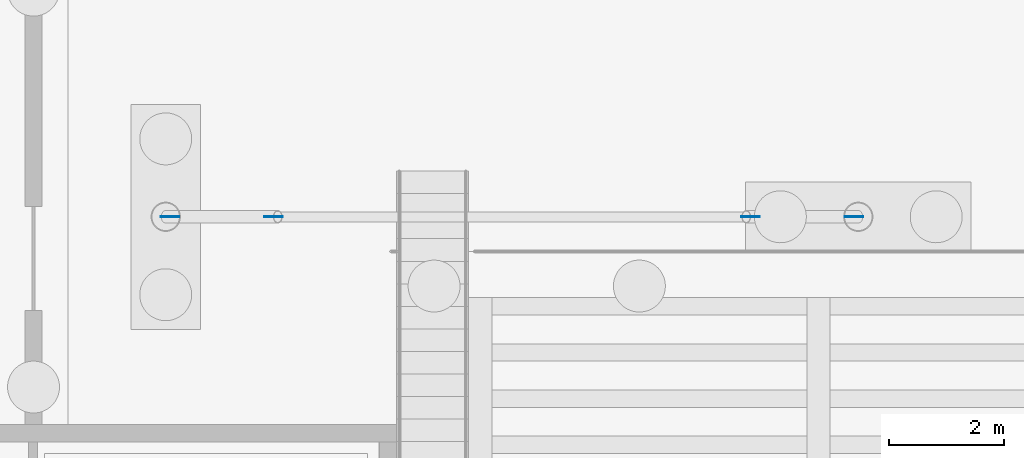
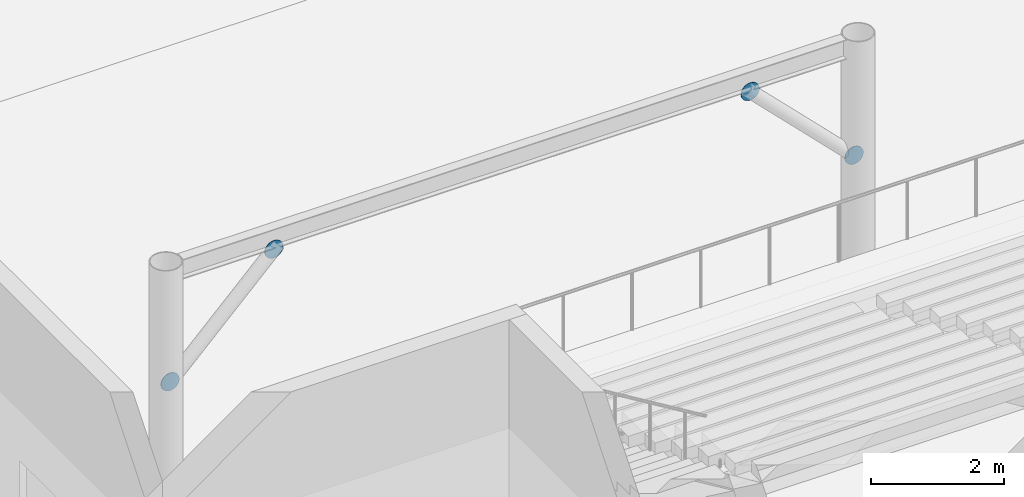
# One storey, part 115 of 157: 4 discrete accessories.
"""IFC4 building model written with IfcOpenShell, lengths in metres."""

from ifc_helpers import new_model, si_unit, direction, frame, origin, origin_2d, place, context, subcontext, project, spatial, circle, extrude, material, layer, layer_set, type_object, element, save


model = new_model("IFC4")

# Units and contexts
model_context = context("Model", 3, precision=1e-05, world=origin(), true_north=direction((0.0, 1.0)))
body_context = subcontext(model_context, "Body", "Model", "MODEL_VIEW")
ifc_project = project(units=[si_unit("LENGTHUNIT", "METRE"), si_unit("AREAUNIT", "SQUARE_METRE"), si_unit("VOLUMEUNIT", "CUBIC_METRE"), si_unit("PLANEANGLEUNIT", "RADIAN"), si_unit("MASSUNIT", "GRAM", prefix="KILO")], contexts=[model_context])

# Site, building, storey
site_placement = place(None, origin())
site = spatial("IfcSite", under=ifc_project, at=site_placement, CompositionType="ELEMENT")
building_placement = place(site_placement, origin())
building = spatial("IfcBuilding", under=site, at=building_placement, Name="Windward Yard Aquatics Centre", CompositionType="ELEMENT")
storey_placement = place(building_placement, origin())
storey = spatial("IfcBuildingStorey", under=building, at=storey_placement, Name="L00", CompositionType="ELEMENT", Elevation=0.0)

# Discrete accessories
ifc_material = material(Name="Steel S355", Category="steel")
ifc_layer = layer(ifc_material, 0.011962890625)
ifc_layer_set = layer_set([ifc_layer], Name="Gusset plate 320 mm disc 12 mm")
discrete_accessory_type = type_object("IfcDiscreteAccessoryType", Name="Gusset plate 320 mm disc 12 mm", PredefinedType="USERDEFINED", material=ifc_layer_set)
for number, where, z_axis, x_axis, name in (
    (1, (60.07080078125, 41.593994140625, 2.770751953125), (0.0, 1.0, 0.0), (-1.0, 0.0, 0.0), "Gusset plate"),
    (2, (61.871337890625, 41.593994140625, 4.5712890625), (0.0, 1.0, 0.0), (-1.0, 0.0, 0.0), "Gusset plate"),
    (3, (71.92919921875, 41.593994140625, 2.770751953125), (0.0, 1.0, 0.0), (-1.0, 0.0, 0.0), "Gusset plate"),
    (4, (70.128662109375, 41.593994140625, 4.5712890625), (0.0, 1.0, 0.0), (-1.0, 0.0, 0.0), "Gusset plate"),
):
    element("IfcDiscreteAccessory", number, at=place(storey_placement, frame(where, z_axis=z_axis, x_axis=x_axis)), inside=storey, type_object=discrete_accessory_type, Name=name, ObjectType="GUSSET PLATE", PredefinedType="USERDEFINED", context=body_context, shape_type="SweptSolid", body=[
        extrude(circle(Radius=0.159912109375, at=origin_2d()), origin(), (0.0, 0.0, 1.0), 0.011962890625),
    ])

save(model, "model.ifc")
